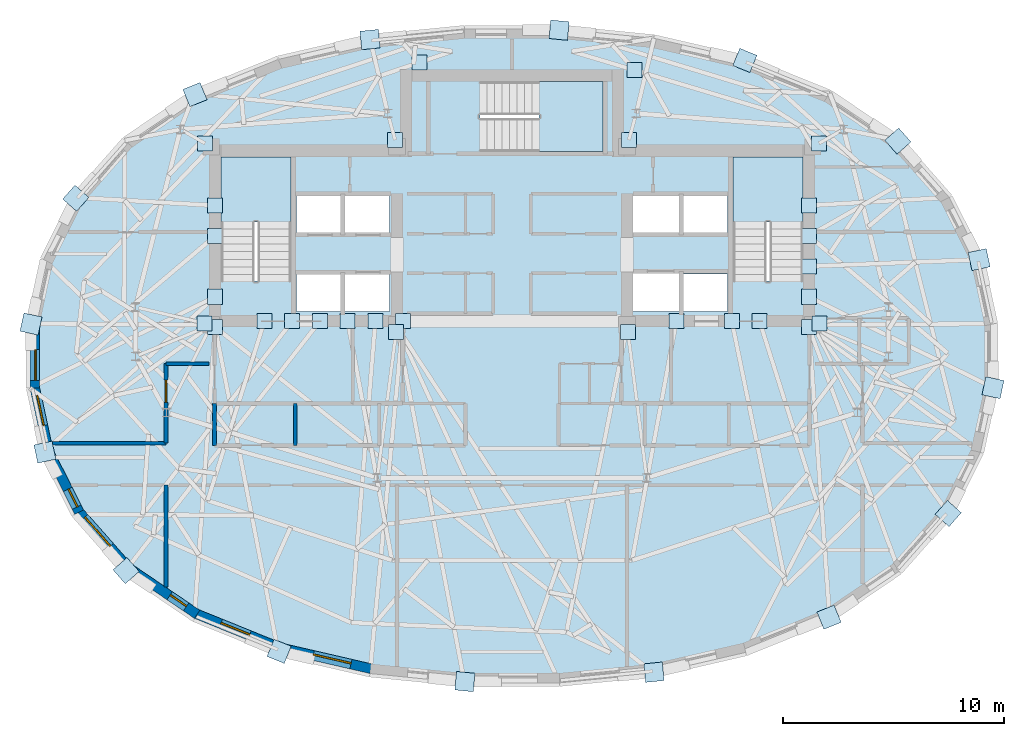
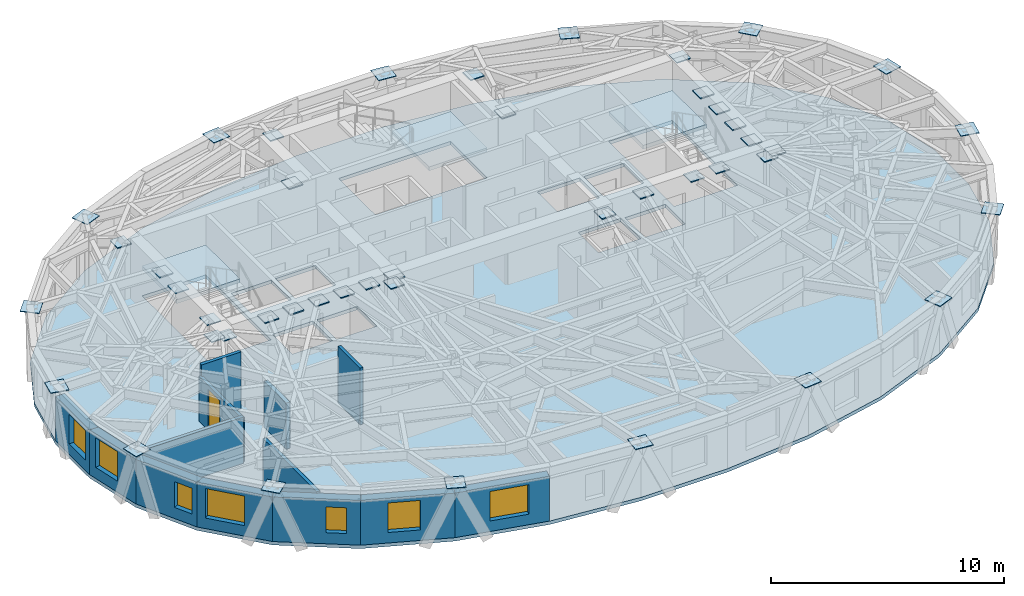
# One storey, part 5 of 13: 44 plates, 13 walls, 7 windows, 4 slabs, 1 door, 8 openings, 3 elements without a shape of their own.
"""IFC4 building model written with IfcOpenShell, lengths in metres."""

import ifcopenshell
import ifcopenshell.guid

model = None  # the IFC model being written
_history = None  # IfcOwnerHistory: only IFC2X3 demands one
_inside = {}  # id of a spatial element -> (the spatial element, [elements in it])
_under = {}  # id of a project, library or spatial element -> (it, [spatial elements below it])
_declared = {}  # id of a project -> (the project, [libraries it declares])
_typed = {}  # id of a type object -> (the type object, [elements of that type])
_made_of = {}  # id of a material, layer set ... -> (it, [elements and type objects made of it])


def new_model(schema):
    """Start an empty IFC model of exactly this schema.

    Asked for "IFC4X3", IfcOpenShell would pick the latest addendum, in which some entities
    have other attributes; the version numbers below select the first issue.
    IFC2X3 requires an IfcOwnerHistory on every rooted entity: one is made here for all.
    """
    global model, _history
    if schema == "IFC4X3":
        model = ifcopenshell.file(schema_version=(4, 3, 0, 0))
    else:
        model = ifcopenshell.file(schema=schema)
    _inside.clear()
    _under.clear()
    _declared.clear()
    _typed.clear()
    _made_of.clear()
    _history = None
    if model.schema == "IFC2X3":
        org = make("IfcOrganization", Name="unknown")
        user = make(
            "IfcPersonAndOrganization",
            ThePerson=make("IfcPerson", FamilyName="unknown"),
            TheOrganization=org,
        )
        app = make(
            "IfcApplication",
            ApplicationDeveloper=org,
            Version="unknown",
            ApplicationFullName="unknown",
            ApplicationIdentifier="unknown",
        )
        _history = make(
            "IfcOwnerHistory",
            OwningUser=user,
            OwningApplication=app,
            ChangeAction="ADDED",
            CreationDate=0,
        )
    return model


def make(cls, **values):
    """One entity of the class cls with the attributes given. An attribute that is None is left unset."""
    return model.create_entity(
        cls, **{name: value for name, value in values.items() if value is not None}
    )


def rooted(cls, **values):
    """An entity with a GlobalId (a new one), such as an element, a storey or a relation."""
    return make(cls, GlobalId=ifcopenshell.guid.new(), OwnerHistory=_history, **values)


def si_unit(unit_type, name, prefix=None):
    """IfcSIUnit, for example si_unit("LENGTHUNIT", "METRE", prefix="MILLI")."""
    return make("IfcSIUnit", UnitType=unit_type, Prefix=prefix, Name=name)


def assignment(units):
    """IfcUnitAssignment: the units of a project."""
    return None if units is None else make("IfcUnitAssignment", Units=units)


def point(xyz):
    """IfcCartesianPoint."""
    return None if xyz is None else make("IfcCartesianPoint", Coordinates=xyz)


def direction(xyz):
    """IfcDirection."""
    return None if xyz is None else make("IfcDirection", DirectionRatios=xyz)


def frame(location, z_axis=None, x_axis=None):
    """IfcAxis2Placement3D, a coordinate frame: its origin and axes. An axis left out is left unset."""
    return make(
        "IfcAxis2Placement3D",
        Location=point(location),
        Axis=direction(z_axis),
        RefDirection=direction(x_axis),
    )


def frame_2d(location, x_axis=None):
    """IfcAxis2Placement2D, a coordinate frame in the plane: its origin and x axis."""
    return make(
        "IfcAxis2Placement2D", Location=point(location), RefDirection=direction(x_axis)
    )


def origin():
    """The frame at (0, 0, 0) with its axes left unset."""
    return frame((0.0, 0.0, 0.0))


def origin_2d():
    """The frame at (0, 0) in the plane with its x axis left unset."""
    return frame_2d((0.0, 0.0))


def place(relative_to, where):
    """IfcLocalPlacement: puts the frame where relative to a parent placement (None: the world)."""
    return make(
        "IfcLocalPlacement", PlacementRelTo=relative_to, RelativePlacement=where
    )


def context(
    kind, dimensions, precision=None, world=None, true_north=None, identifier=None
):
    """IfcGeometricRepresentationContext, for example the 3D "Model" context."""
    return make(
        "IfcGeometricRepresentationContext",
        ContextIdentifier=identifier,
        ContextType=kind,
        CoordinateSpaceDimension=dimensions,
        Precision=precision,
        WorldCoordinateSystem=world,
        TrueNorth=true_north,
    )


def subcontext(parent, identifier, kind, view, scale=None):
    """IfcGeometricRepresentationSubContext, for example "Body" below "Model"."""
    return make(
        "IfcGeometricRepresentationSubContext",
        ContextIdentifier=identifier,
        ContextType=kind,
        ParentContext=parent,
        TargetScale=scale,
        TargetView=view,
    )


def project(units=None, contexts=None):
    """IfcProject with its units and contexts."""
    return rooted(
        "IfcProject",
        Name="project",
        RepresentationContexts=contexts,
        UnitsInContext=assignment(units),
    )


def spatial(cls, under=None, at=None, **own):
    """A site, building, storey or space (cls), placed at a placement, below another one or the project."""
    s = rooted(cls, ObjectPlacement=at, **own)
    if under is not None:
        _under.setdefault(under.id(), (under, []))[1].append(s)
    return s


def polyline(points):
    """IfcPolyline through the points."""
    return make("IfcPolyline", Points=[point(p) for p in points])


def profile(cls, at=None, kind="AREA", **sizes):
    """A parametric profile (cls). Its sizes go by their IFC names, for example OverallWidth=200.0."""
    return make(cls, ProfileType=kind, Position=at, **sizes)


def rectangle(**sizes):
    """IfcRectangleProfileDef."""
    return profile("IfcRectangleProfileDef", **sizes)


def outline(outer, holes=None, kind="AREA"):
    """IfcArbitraryClosedProfileDef: a profile drawn as a closed curve; with holes, ...WithVoids."""
    if holes is None:
        return make("IfcArbitraryClosedProfileDef", ProfileType=kind, OuterCurve=outer)
    return make(
        "IfcArbitraryProfileDefWithVoids",
        ProfileType=kind,
        OuterCurve=outer,
        InnerCurves=holes,
    )


def extrude(swept, where, along, depth):
    """IfcExtrudedAreaSolid: the profile swept, set in the frame where, extruded along a direction by depth."""
    return make(
        "IfcExtrudedAreaSolid",
        SweptArea=swept,
        Position=where,
        ExtrudedDirection=direction(along),
        Depth=depth,
    )


def shape(context_of_items, identifier, shape_type, items):
    """IfcShapeRepresentation: the items that make up one representation, for example the "Body"."""
    return make(
        "IfcShapeRepresentation",
        ContextOfItems=context_of_items,
        RepresentationIdentifier=identifier,
        RepresentationType=shape_type,
        Items=items,
    )


def material(Name=None, Category=None):
    """IfcMaterial."""
    return make("IfcMaterial", Name=Name, Category=Category)


def layer(
    of_material, thickness, ventilated=None, Name=None, Category=None, Priority=None
):
    """IfcMaterialLayer: one layer of a wall or slab, of a material (None: an air gap)."""
    return make(
        "IfcMaterialLayer",
        Material=of_material,
        LayerThickness=thickness,
        IsVentilated=ventilated,
        Name=Name,
        Category=Category,
        Priority=Priority,
    )


def layer_set(layers, Name=None):
    """IfcMaterialLayerSet."""
    return make("IfcMaterialLayerSet", MaterialLayers=layers, LayerSetName=Name)


def made_of(thing, what):
    """Note that an element or type object is made of a material, layer set ...; save() writes the relation."""
    if what is not None:
        _made_of.setdefault(what.id(), (what, []))[1].append(thing)
    return thing


def type_object(cls, material=None, **own):
    """A type object (cls), such as IfcWallType, which elements share."""
    return made_of(rooted(cls, **own), material)


def element(
    cls,
    number,
    at=None,
    inside=None,
    cuts=None,
    type_object=None,
    material=None,
    context=None,
    identifier="Body",
    shape_type=None,
    held_by="IfcProductDefinitionShape",
    body=None,
    shapes=None,
    **own,
):
    """One element of the class cls, such as IfcWall. Its Tag is "e" and its number.

    at: its placement. inside: the storey or other place that contains it. cuts: it is an
    opening in that element (IfcRelVoidsElement). A single representation is given by context,
    identifier, shape_type and body (its items); several are given by shapes. held_by: the class
    of the entity that holds the representations. save() writes the other relations.
    """
    e = rooted(cls, Tag="e%d" % number, ObjectPlacement=at, **own)
    if body is not None:
        shapes = [shape(context, identifier, shape_type, body)]
    if shapes is not None:
        e.Representation = make(held_by, Representations=shapes)
    if inside is not None:
        _inside.setdefault(inside.id(), (inside, []))[1].append(e)
    if cuts is not None:
        rooted(
            "IfcRelVoidsElement", RelatingBuildingElement=cuts, RelatedOpeningElement=e
        )
    if type_object is not None:
        _typed.setdefault(type_object.id(), (type_object, []))[1].append(e)
    return made_of(e, material)


def fill(opening, filler):
    """IfcRelFillsElement: the door or window that sits in an opening."""
    return rooted(
        "IfcRelFillsElement",
        RelatingOpeningElement=opening,
        RelatedBuildingElement=filler,
    )


def aggregate(whole, parts):
    """IfcRelAggregates: a whole, such as a stair, and the parts it consists of."""
    return rooted("IfcRelAggregates", RelatingObject=whole, RelatedObjects=parts)


def save(model, path):
    """Write the relations noted so far, then the file.

    IfcRelAggregates (storeys below a building ...), IfcRelContainedInSpatialStructure (elements
    in a storey), IfcRelDefinesByType, IfcRelAssociatesMaterial and IfcRelDeclares: one each for
    every whole, place, type object, material and project.
    """
    for whole, parts in _under.values():
        aggregate(whole, parts)
    for where, things in _inside.values():
        rooted(
            "IfcRelContainedInSpatialStructure",
            RelatedElements=things,
            RelatingStructure=where,
        )
    for kind, things in _typed.values():
        rooted("IfcRelDefinesByType", RelatedObjects=things, RelatingType=kind)
    for what, things in _made_of.values():
        rooted("IfcRelAssociatesMaterial", RelatedObjects=things, RelatingMaterial=what)
    for by, libraries in _declared.values():
        rooted("IfcRelDeclares", RelatingContext=by, RelatedDefinitions=libraries)
    model.write(path)


model = new_model("IFC4")

# Units and contexts
model_context = context("Model", 3, precision=1e-05, world=origin(), true_north=direction((0.0, 1.0)))
body_context = subcontext(model_context, "Body", "Model", "MODEL_VIEW")
ifc_project = project(units=[si_unit("LENGTHUNIT", "METRE"), si_unit("AREAUNIT", "SQUARE_METRE"), si_unit("VOLUMEUNIT", "CUBIC_METRE"), si_unit("PLANEANGLEUNIT", "RADIAN"), si_unit("MASSUNIT", "GRAM", prefix="KILO")], contexts=[model_context])

# Site, building, storey
site_placement = place(None, origin())
site = spatial("IfcSite", under=ifc_project, at=site_placement, CompositionType="ELEMENT")
building_placement = place(site_placement, origin())
building = spatial("IfcBuilding", under=site, at=building_placement, Name="Keldmark Tower", CompositionType="ELEMENT")
storey_placement = place(building_placement, frame((0.0, 0.0, 241.5)))
storey = spatial("IfcBuildingStorey", under=building, at=storey_placement, Name="L68", CompositionType="ELEMENT", Elevation=241.5)

# Plates
ifc_material_1 = material(Name="Steel ASTM A572 Grade 50", Category="steel")
ifc_layer_1 = layer(ifc_material_1, 0.06005859375)
ifc_layer_set_1 = layer_set([ifc_layer_1], Name="Steel ASTM A572 Grade 50")
plate_type_1 = type_object("IfcPlateType", Name="Belt Truss Kink Node Assembly KN01 60 mm", PredefinedType="USERDEFINED", material=ifc_layer_set_1)
for number, where, z_axis, x_axis, name in (
    (1, (13.91162109375, 1.473388671875, 2.67822265625), (0.0, 0.0, 1.0), (1.0, 0.0, 0.0), "L68 Core Wall Cast-In Embed Plate 1980"),
    (2, (13.878173828125, 9.608154296875, 2.67822265625), (0.0, 0.0, 1.0), (1.0, 0.0, 0.0), "L68 Core Wall Cast-In Embed Plate 1981"),
    (3, (5.28515625, 9.758544921875, 2.67822265625), (0.0, 0.0, 1.0), (1.0, 0.0, 0.0), "L68 Core Wall Cast-In Embed Plate 1982"),
    (4, (-5.28515625, 9.758544921875, 2.67822265625), (0.0, 0.0, 1.0), (1.0, 0.0, 0.0), "L68 Core Wall Cast-In Embed Plate 1983"),
    (5, (-13.878173828125, 9.608154296875, 2.67822265625), (0.0, 0.0, 1.0), (1.0, 0.0, 0.0), "L68 Core Wall Cast-In Embed Plate 1984"),
    (6, (-13.91162109375, 1.473388671875, 2.67822265625), (0.0, 0.0, 1.0), (1.0, 0.0, 0.0), "L68 Core Wall Cast-In Embed Plate 1985"),
    (7, (-5.24072265625, 1.08251953125, 2.67822265625), (0.0, 0.0, 1.0), (1.0, 0.0, 0.0), "L68 Core Wall Cast-In Embed Plate 1986"),
    (8, (5.24072265625, 1.08251953125, 2.67822265625), (0.0, 0.0, 1.0), (1.0, 0.0, 0.0), "L68 Core Wall Cast-In Embed Plate 1987"),
    (9, (-13.425048828125, 5.425048828125, 2.673828125), (0.0, 0.0, 1.0), (1.0, 0.0, 0.0), "L68 Core Wall Cast-In Embed Plate 1988"),
    (10, (-11.19287109375, 1.574951171875, 2.673828125), (0.0, 0.0, 1.0), (1.0, 0.0, 0.0), "L68 Core Wall Cast-In Embed Plate 1989"),
    (11, (-7.43212890625, 1.574951171875, 2.673828125), (0.0, 0.0, 1.0), (1.0, 0.0, 0.0), "L68 Core Wall Cast-In Embed Plate 1990"),
    (12, (7.43212890625, 1.574951171875, 2.673828125), (0.0, 0.0, 1.0), (1.0, 0.0, 0.0), "L68 Core Wall Cast-In Embed Plate 1991"),
    (13, (11.19287109375, 1.574951171875, 2.673828125), (0.0, 0.0, 1.0), (1.0, 0.0, 0.0), "L68 Core Wall Cast-In Embed Plate 1992"),
    (14, (13.425048828125, 5.425048828125, 2.673828125), (0.0, 0.0, 1.0), (1.0, 0.0, 0.0), "L68 Core Wall Cast-In Embed Plate 1993"),
    (15, (-9.939208984375, 1.574951171875, 2.673828125), (0.0, 0.0, 1.0), (1.0, 0.0, 0.0), "L68 Core Wall Cast-In Embed Plate 1994"),
    (16, (-6.1787109375, 1.574951171875, 2.673828125), (0.0, 0.0, 1.0), (1.0, 0.0, 0.0), "L68 Core Wall Cast-In Embed Plate 1995"),
    (17, (9.939208984375, 1.574951171875, 2.673828125), (0.0, 0.0, 1.0), (1.0, 0.0, 0.0), "L68 Core Wall Cast-In Embed Plate 1996"),
    (18, (13.425048828125, 4.050048828125, 2.673828125), (0.0, 0.0, 1.0), (1.0, 0.0, 0.0), "L68 Core Wall Cast-In Embed Plate 1997"),
    (19, (13.425048828125, 6.800048828125, 2.673828125), (0.0, 0.0, 1.0), (1.0, 0.0, 0.0), "L68 Core Wall Cast-In Embed Plate 1998"),
    (20, (-13.425048828125, 2.675048828125, 2.673828125), (0.0, 0.0, 1.0), (1.0, 0.0, 0.0), "L68 Core Wall Cast-In Embed Plate 1999"),
    (21, (-8.685791015625, 1.574951171875, 2.673828125), (0.0, 0.0, 1.0), (1.0, 0.0, 0.0), "L68 Core Wall Cast-In Embed Plate 2000"),
    (22, (-13.425048828125, 1.300048828125, 2.673828125), (0.0, 0.0, 1.0), (1.0, 0.0, 0.0), "L68 Core Wall Cast-In Embed Plate 2001"),
    (23, (-4.925048828125, 1.574951171875, 2.673828125), (0.0, 0.0, 1.0), (1.0, 0.0, 0.0), "L68 Core Wall Cast-In Embed Plate 2002"),
    (24, (13.425048828125, 1.300048828125, 2.673828125), (0.0, 0.0, 1.0), (1.0, 0.0, 0.0), "L68 Core Wall Cast-In Embed Plate 2003"),
    (25, (13.425048828125, 2.675048828125, 2.673828125), (0.0, 0.0, 1.0), (1.0, 0.0, 0.0), "L68 Core Wall Cast-In Embed Plate 2004"),
    (26, (5.546142578125, 12.919921875, 2.673828125), (0.0, 0.0, 1.0), (1.0, 0.0, 0.0), "L68 Core Wall Cast-In Embed Plate 2005"),
    (27, (-4.1806640625, 13.272705078125, 2.673828125), (0.0, 0.0, 1.0), (1.0, 0.0, 0.0), "L68 Core Wall Cast-In Embed Plate 2006"),
    (28, (-13.425048828125, 6.800048828125, 2.673828125), (0.0, 0.0, 1.0), (1.0, 0.0, 0.0), "L68 Core Wall Cast-In Embed Plate 2007"),
):
    element("IfcPlate", number, at=place(storey_placement, frame(where, z_axis=z_axis, x_axis=x_axis)), inside=storey, type_object=plate_type_1, Name=name, ObjectType="CAP PLATE", PredefinedType="USERDEFINED", context=body_context, shape_type="SweptSolid", body=[
        extrude(rectangle(XDim=0.679931640625, YDim=0.679931640625, at=origin_2d()), origin(), (0.0, 0.0, 1.0), 0.054931640625),
    ])
ifc_material_2 = material(Name="Steel ASTM A572 Grade 50", Category="steel")
ifc_layer_2 = layer(ifc_material_2, 0.034912109375)
ifc_layer_set_2 = layer_set([ifc_layer_2], Name="Steel ASTM A572 Grade 50")
plate_type_2 = type_object("IfcPlateType", Name="Diagrid Node Assembly DN06 35 mm", PredefinedType="USERDEFINED", material=ifc_layer_set_2)
for number, where, z_axis, x_axis, name in (
    (29, (21.124755859375, 4.351806640625, 2.83251953125), (0.0, 0.0, 1.0), (-0.210471759821, 0.977599937765, 0.0), "L68 Diagrid Node Assembly 01"),
    (30, (17.451904296875, 9.713134765625, 2.83251953125), (0.0, 0.0, 1.0), (-0.661311865324, 0.75011106963, 0.0), "L68 Diagrid Node Assembly 03"),
    (31, (10.53173828125, 13.36279296875, 2.83251953125), (0.0, 0.0, 1.0), (-0.92672549442, 0.375739082333, 0.0), "L68 Diagrid Node Assembly 05"),
    (32, (2.130615234375, 14.7314453125, 2.83251953125), (0.0, 0.0, 1.0), (-0.995124665732, 0.098625045759, 0.0), "L68 Diagrid Node Assembly 07"),
    (33, (-6.42041015625, 14.305419921875, 2.83251953125), (0.0, 0.0, 1.0), (-0.995124665732, -0.098625045759, 0.0), "L68 Diagrid Node Assembly 09"),
    (34, (-14.337646484375, 11.817138671875, 2.83251953125), (0.0, 0.0, 1.0), (-0.92672549442, -0.375739082333, 0.0), "L68 Diagrid Node Assembly 11"),
    (35, (-19.728271484375, 7.129150390625, 2.83251953125), (0.0, 0.0, 1.0), (-0.661311865324, -0.75011106963, 0.0), "L68 Diagrid Node Assembly 13"),
    (36, (-21.751953125, 1.439208984375, 2.83251953125), (0.0, 0.0, 1.0), (-0.210471759821, -0.977599937765, 0.0), "L68 Diagrid Node Assembly 15"),
    (37, (-21.124755859375, -4.351806640625, 2.83251953125), (0.0, 0.0, 1.0), (0.210471759821, -0.977599937765, 0.0), "L68 Diagrid Node Assembly 17"),
    (38, (-17.451904296875, -9.713134765625, 2.83251953125), (0.0, 0.0, 1.0), (0.661311865324, -0.75011106963, 0.0), "L68 Diagrid Node Assembly 19"),
    (39, (-10.53173828125, -13.36279296875, 2.83251953125), (0.0, 0.0, 1.0), (0.92672549442, -0.375739082333, 0.0), "L68 Diagrid Node Assembly 21"),
    (40, (-2.130615234375, -14.7314453125, 2.83251953125), (0.0, 0.0, 1.0), (0.995124665732, -0.098625045759, 0.0), "L68 Diagrid Node Assembly 23"),
    (41, (6.42041015625, -14.305419921875, 2.83251953125), (0.0, 0.0, 1.0), (0.995124665732, 0.098625045759, 0.0), "L68 Diagrid Node Assembly 25"),
    (42, (14.337646484375, -11.817138671875, 2.83251953125), (0.0, 0.0, 1.0), (0.92672549442, 0.375739082333, 0.0), "L68 Diagrid Node Assembly 27"),
    (43, (19.728271484375, -7.129150390625, 2.83251953125), (0.0, 0.0, 1.0), (0.661311865324, 0.75011106963, 0.0), "L68 Diagrid Node Assembly 29"),
    (44, (21.751953125, -1.439208984375, 2.83251953125), (0.0, 0.0, 1.0), (0.210471759821, 0.977599937765, 0.0), "L68 Diagrid Node Assembly 31"),
):
    element("IfcPlate", number, at=place(storey_placement, frame(where, z_axis=z_axis, x_axis=x_axis)), inside=storey, type_object=plate_type_2, Name=name, ObjectType="GUSSET", PredefinedType="USERDEFINED", context=body_context, shape_type="SweptSolid", body=[
        extrude(rectangle(XDim=0.840087890625, YDim=0.840087890625, at=origin_2d()), origin(), (0.0, 0.0, 1.0), 0.034912109375),
    ])

# Slab
ifc_material_3 = material(Name="Concrete C35/45", Category="concrete")
ifc_layer_3 = layer(ifc_material_3, 0.179931640625)
ifc_layer_set_3 = layer_set([ifc_layer_3], Name="Concrete C35/45")
slab_type_1 = type_object("IfcSlabType", Name="Hotel and Residential Slab 180 mm", PredefinedType="FLOOR", material=ifc_layer_set_3)
slab_1_placement = place(storey_placement, frame((0.0, 0.0, -0.179931640625)))
element("IfcSlab", 45, at=slab_1_placement, inside=storey, type_object=slab_type_1, Name="L68 Composite Structural Floor Slab", PredefinedType="FLOOR", context=body_context, shape_type="SweptSolid", body=[
    extrude(outline(polyline([(21.809326171875, 1.45654296875), (21.1845703125, 4.357666015625), (19.774658203125, 7.167236328125), (17.5048828125, 9.741455078125), (14.365966796875, 11.8701171875), (10.56982421875, 13.4091796875), (6.42626953125, 14.364990234375), (2.14794921875, 14.788818359375), (-2.14794921875, 14.788818359375), (-6.42626953125, 14.364990234375), (-10.56982421875, 13.4091796875), (-14.365966796875, 11.8701171875), (-17.5048828125, 9.741455078125), (-19.774658203125, 7.167236328125), (-21.1845703125, 4.357666015625), (-21.809326171875, 1.45654296875), (-21.809326171875, -1.45654296875), (-21.1845703125, -4.357666015625), (-19.774658203125, -7.167236328125), (-17.5048828125, -9.741455078125), (-14.365966796875, -11.8701171875), (-10.56982421875, -13.4091796875), (-6.42626953125, -14.364990234375), (-2.14794921875, -14.788818359375), (2.14794921875, -14.788818359375), (6.42626953125, -14.364990234375), (10.56982421875, -13.4091796875), (14.365966796875, -11.8701171875), (17.5048828125, -9.741455078125), (19.774658203125, -7.167236328125), (21.1845703125, -4.357666015625), (21.809326171875, -1.45654296875), (21.809326171875, 1.45654296875)]), holes=[polyline([(-10.0, 3.385009765625), (-10.0, 9.0), (-13.14990234375, 9.0), (-13.14990234375, 3.385009765625), (-10.0, 3.385009765625)]), polyline([(13.14990234375, 3.385009765625), (13.14990234375, 9.0), (10.0, 9.0), (10.0, 3.385009765625), (13.14990234375, 3.385009765625)]), polyline([(-1.43994140625, 9.25), (4.10498046875, 9.25), (4.10498046875, 12.39990234375), (-1.43994140625, 12.39990234375), (-1.43994140625, 9.25)]), polyline([(-9.75, 2.0), (-7.75, 2.0), (-7.75, 3.699951171875), (-9.75, 3.699951171875), (-9.75, 2.0)]), polyline([(7.75, 2.0), (9.75, 2.0), (9.75, 3.699951171875), (7.75, 3.699951171875), (7.75, 2.0)]), polyline([(5.449951171875, 2.0), (7.550048828125, 2.0), (7.550048828125, 3.75), (5.449951171875, 3.75), (5.449951171875, 2.0)]), polyline([(-9.75, 5.550048828125), (-7.75, 5.550048828125), (-7.75, 7.25), (-9.75, 7.25), (-9.75, 5.550048828125)]), polyline([(-7.550048828125, 5.550048828125), (-5.550048828125, 5.550048828125), (-5.550048828125, 7.25), (-7.550048828125, 7.25), (-7.550048828125, 5.550048828125)]), polyline([(-7.550048828125, 2.0), (-5.550048828125, 2.0), (-5.550048828125, 3.699951171875), (-7.550048828125, 3.699951171875), (-7.550048828125, 2.0)]), polyline([(5.449951171875, 5.550048828125), (7.550048828125, 5.550048828125), (7.550048828125, 7.25), (5.449951171875, 7.25), (5.449951171875, 5.550048828125)]), polyline([(7.75, 5.550048828125), (9.75, 5.550048828125), (9.75, 7.25), (7.75, 7.25), (7.75, 5.550048828125)])]), origin(), (0.0, 0.0, 1.0), 0.179931640625),
])

# Stair, slab
ifc_material_4 = material(Name="Concrete C40/50", Category="concrete")
stair_type = type_object("IfcStairType", Name="Precast Concrete Core Exit Stair", PredefinedType="HALF_TURN_STAIR", material=ifc_material_4)
stair_1_placement = place(storey_placement, origin())
stair_1 = element("IfcStair", 46, at=stair_1_placement, inside=storey, type_object=stair_type, Name="L68 Exit Stair ST1", PredefinedType="HALF_TURN_STAIR")
ifc_material_5 = material(Name="Concrete C40/50", Category="concrete")
ifc_layer_4 = layer(ifc_material_5, 0.199951171875)
ifc_layer_set_4 = layer_set([ifc_layer_4], Name="Concrete C40/50")
slab_type_2 = type_object("IfcSlabType", Name="Reinforced Concrete Stair Landing 200 mm", PredefinedType="LANDING", material=ifc_layer_set_4)
slab_2_placement = place(storey_placement, frame((0.0, 0.0, 1.375)))
slab_2 = element("IfcSlab", 47, at=slab_2_placement, type_object=slab_type_2, Name="ST1 landing 1", PredefinedType="LANDING", context=body_context, shape_type="SweptSolid", body=[
    extrude(outline(polyline([(-10.0, 6.050048828125), (-10.0, 9.0), (-13.14990234375, 9.0), (-13.14990234375, 6.050048828125), (-10.0, 6.050048828125)])), origin(), (0.0, 0.0, 1.0), 0.199951171875),
])
aggregate(stair_1, [slab_2])

stair_2_placement = place(storey_placement, origin())
stair_2 = element("IfcStair", 48, at=stair_2_placement, inside=storey, type_object=stair_type, Name="L68 Exit Stair ST2", PredefinedType="HALF_TURN_STAIR")
slab_3_placement = place(storey_placement, frame((0.0, 0.0, 1.375)))
slab_3 = element("IfcSlab", 49, at=slab_3_placement, type_object=slab_type_2, Name="ST2 landing 1", PredefinedType="LANDING", context=body_context, shape_type="SweptSolid", body=[
    extrude(outline(polyline([(13.14990234375, 6.050048828125), (13.14990234375, 9.0), (10.0, 9.0), (10.0, 6.050048828125), (13.14990234375, 6.050048828125)])), origin(), (0.0, 0.0, 1.0), 0.199951171875),
])
aggregate(stair_2, [slab_3])

stair_3_placement = place(storey_placement, origin())
stair_3 = element("IfcStair", 50, at=stair_3_placement, inside=storey, type_object=stair_type, Name="L68 Exit Stair ST3", PredefinedType="HALF_TURN_STAIR")
slab_4_placement = place(storey_placement, frame((0.0, 0.0, 1.375)))
slab_4 = element("IfcSlab", 51, at=slab_4_placement, type_object=slab_type_2, Name="ST3 landing 1", PredefinedType="LANDING", context=body_context, shape_type="SweptSolid", body=[
    extrude(outline(polyline([(1.22509765625, 9.25), (4.10498046875, 9.25), (4.10498046875, 12.39990234375), (1.22509765625, 12.39990234375), (1.22509765625, 9.25)])), origin(), (0.0, 0.0, 1.0), 0.199951171875),
])
aggregate(stair_3, [slab_4])

# Walls
ifc_material_6 = material(Name="Heavy Acoustic Plumbing Chase Gypsum Assembly", Category="gypsum")
ifc_layer_5 = layer(ifc_material_6, 0.18994140625)
ifc_layer_set_5 = layer_set([ifc_layer_5], Name="Heavy Acoustic Plumbing Chase Gypsum Assembly")
wall_type_1 = type_object("IfcWallType", Name="Heavy Wet Wall 190 mm", PredefinedType="PLUMBINGWALL", material=ifc_layer_set_5)
wall_1_placement = place(storey_placement, frame((-13.449951171875, -4.050048828125, 0.0), z_axis=(0.0, 0.0, 1.0), x_axis=(0.0, 1.0, 0.0)))
element("IfcWall", 52, at=wall_1_placement, inside=storey, type_object=wall_type_1, Name="L68 Heavy Wet Wall 190 mm SPK-W-W", PredefinedType="PLUMBINGWALL", context=body_context, shape_type="SweptSolid", body=[
    extrude(rectangle(XDim=1.900146484375, YDim=0.18994140625, at=frame_2d((0.9501953125, 0.0))), origin(), (0.0, 0.0, 1.0), 2.423095703125),
])
ifc_material_7 = material(Name="Type X Fire-Rated Gypsum Partition Assembly", Category="gypsum")
ifc_layer_6 = layer(ifc_material_7, 0.1650390625)
ifc_layer_set_6 = layer_set([ifc_layer_6], Name="Type X Fire-Rated Gypsum Partition Assembly")
wall_type_2 = type_object("IfcWallType", Name="Rated Partition 165 mm", PredefinedType="PARTITIONING", material=ifc_layer_set_6)
wall_2_placement = place(storey_placement, frame((-20.81396484375, -3.949951171875, 0.0), z_axis=(0.0, 0.0, 1.0), x_axis=(1.0, 0.0, 0.0)))
element("IfcWall", 53, at=wall_2_placement, inside=storey, type_object=wall_type_2, Name="L68 Rated Partition 165 mm RCOR-WN-OUT", PredefinedType="PARTITIONING", context=body_context, shape_type="SweptSolid", body=[
    extrude(rectangle(XDim=5.1640625, YDim=0.1650390625, at=frame_2d((2.58203125, 0.0))), origin(), (0.0, 0.0, 1.0), 2.423095703125),
])

# Wall, opening, door
wall_3_placement = place(storey_placement, frame((-15.64990234375, -3.949951171875, 0.0), z_axis=(0.0, 0.0, 1.0), x_axis=(0.0, 1.0, 0.0)))
wall_3 = element("IfcWall", 54, at=wall_3_placement, inside=storey, type_object=wall_type_2, Name="L68 Rated Partition 165 mm RCOR-VW", PredefinedType="PARTITIONING", context=body_context, shape_type="SweptSolid", body=[
    extrude(rectangle(XDim=3.599853515625, YDim=0.1650390625, at=frame_2d((1.7998046875, 0.0))), origin(), (0.0, 0.0, 1.0), 2.35693359375),
])
opening_1_placement = place(wall_3_placement, frame((1.85009765625, 0.0, 0.0)))
opening_1 = element("IfcOpeningElement", 55, at=opening_1_placement, cuts=wall_3, Name="Opening D-FD100", PredefinedType="OPENING", context=body_context, shape_type="SweptSolid", body=[
    extrude(rectangle(XDim=1.0, YDim=2.14990234375, at=frame_2d((0.5, 1.074951171875))), frame((0.0, 0.092529296875, 0.0), z_axis=(0.0, -1.0, 0.0), x_axis=(1.0, 0.0, 0.0)), (0.0, 0.0, 1.0), 0.18505859375),
])
ifc_material_8 = material(Name="Hollow Metal Fire-Rated Corridor Door", Category="metal")
door_type = type_object("IfcDoorType", Name="Fire Door 1000x2150", OperationType="NOTDEFINED", PredefinedType="DOOR", material=ifc_material_8)
door_placement = place(opening_1_placement, origin())
door = element("IfcDoor", 56, at=door_placement, inside=storey, type_object=door_type, Name="L68 Fire Door 1000x2150 D-RWM1-L68", OperationType="SINGLE_SWING_RIGHT", OverallHeight=2.14990234375, OverallWidth=1.0, PredefinedType="DOOR", context=body_context, shape_type="SweptSolid", body=[
    extrude(rectangle(XDim=1.0, YDim=2.14990234375, at=frame_2d((0.5, 1.074951171875))), frame((0.0, 0.02490234375, 0.0), z_axis=(0.0, -1.0, 0.0), x_axis=(1.0, 0.0, 0.0)), (0.0, 0.0, 1.0), 0.050048828125),
])
fill(opening_1, door)

# Walls
wall_4_placement = place(storey_placement, frame((-15.64990234375, -0.35009765625, 0.0), z_axis=(0.0, 0.0, 1.0), x_axis=(1.0, 0.0, 0.0)))
element("IfcWall", 57, at=wall_4_placement, inside=storey, type_object=wall_type_2, Name="L68 Rated Partition 165 mm RCOR-VWN", PredefinedType="PARTITIONING", context=body_context, shape_type="SweptSolid", body=[
    extrude(rectangle(XDim=1.949951171875, YDim=0.1650390625, at=frame_2d((0.97509765625, 0.0))), origin(), (0.0, 0.0, 1.0), 2.969970703125),
])
wall_5_placement = place(storey_placement, frame((-15.64990234375, -10.4580078125, 0.0), z_axis=(0.0, 0.0, 1.0), x_axis=(0.0, 1.0, 0.0)))
element("IfcWall", 58, at=wall_5_placement, inside=storey, type_object=wall_type_2, Name="L68 Rated Partition 165 mm RS-WCAP", PredefinedType="PARTITIONING", context=body_context, shape_type="SweptSolid", body=[
    extrude(rectangle(XDim=4.60791015625, YDim=0.1650390625, at=frame_2d((2.303955078125, 0.0))), origin(), (0.0, 0.0, 1.0), 2.423095703125),
])

# Wall, opening, window
ifc_material_9 = material(Name="Ironspot Manganese Brick and Kasota Buff Limestone Spandrel Assembly", Category="masonry")
ifc_layer_7 = layer(ifc_material_9, 0.43994140625)
ifc_layer_set_7 = layer_set([ifc_layer_7], Name="Ironspot Manganese Brick and Kasota Buff Limestone Spandrel Assembly")
wall_type_3 = type_object("IfcWallType", Name="Tower Brick Pier and Spandrel Wall 440 mm", PredefinedType="STANDARD", material=ifc_layer_set_7)
wall_6_placement = place(storey_placement, frame((-21.58935546875, -1.45654296875, 0.0), z_axis=(0.0, 0.0, 1.0), x_axis=(0.0, 1.0, 0.0)))
wall_6 = element("IfcWall", 59, at=wall_6_placement, inside=storey, type_object=wall_type_3, Name="L68 Exterior Brick and Spandrel Wall 16", PredefinedType="STANDARD", context=body_context, shape_type="SweptSolid", body=[
    extrude(rectangle(XDim=2.9130859375, YDim=0.43994140625, at=frame_2d((1.45654296875, 0.0))), origin(), (0.0, 0.0, 1.0), 2.3359375),
])
opening_2_placement = place(wall_6_placement, frame((0.34521484375, 0.0, 0.550048828125)))
opening_2 = element("IfcOpeningElement", 60, at=opening_2_placement, cuts=wall_6, Name="Opening W-08", PredefinedType="OPENING", context=body_context, shape_type="SweptSolid", body=[
    extrude(rectangle(XDim=1.39990234375, YDim=1.550048828125, at=frame_2d((0.699951171875, 0.77490234375))), frame((0.0, 0.22998046875, 0.0), z_axis=(0.0, -1.0, 0.0), x_axis=(1.0, 0.0, 0.0)), (0.0, 0.0, 1.0), 0.4599609375),
])
ifc_material_10 = material(Name="Thermally Broken Anodized Aluminum and Triple Low-E Argon Glazing", Category="aluminium")
window_type_1 = type_object("IfcWindowType", Name="Residential Corner Punched Window 1400x1550", PartitioningType="SINGLE_PANEL", PredefinedType="WINDOW", material=ifc_material_10)
window_1_placement = place(opening_2_placement, origin())
window_1 = element("IfcWindow", 61, at=window_1_placement, inside=storey, type_object=window_type_1, Name="L68 Deep-Set Window 16", OverallHeight=1.550048828125, OverallWidth=1.39990234375, PartitioningType="SINGLE_PANEL", PredefinedType="WINDOW", context=body_context, shape_type="SweptSolid", body=[
    extrude(rectangle(XDim=1.39990234375, YDim=1.550048828125, at=frame_2d((0.699951171875, 0.77490234375))), frame((0.0, -0.010009765625, 0.0), z_axis=(0.0, -1.0, 0.0), x_axis=(1.0, 0.0, 0.0)), (0.0, 0.0, 1.0), 0.06005859375),
])
fill(opening_2, window_1)

wall_7_placement = place(storey_placement, frame((-20.969482421875, -4.311279296875, 0.0), z_axis=(0.0, 0.0, 1.0), x_axis=(-0.210540350534, 0.977585168053, 0.0)))
wall_7 = element("IfcWall", 62, at=wall_7_placement, inside=storey, type_object=wall_type_3, Name="L68 Exterior Brick and Spandrel Wall 17", PredefinedType="STANDARD", context=body_context, shape_type="SweptSolid", body=[
    extrude(rectangle(XDim=2.96728515625, YDim=0.43994140625, at=frame_2d((1.483642578125, 0.0))), origin(), (0.0, 0.0, 1.0), 2.3359375),
])
opening_3_placement = place(wall_7_placement, frame((1.1728515625, 0.0, 0.580078125)))
opening_3 = element("IfcOpeningElement", 63, at=opening_3_placement, cuts=wall_7, Name="Opening W-08", PredefinedType="OPENING", context=body_context, shape_type="SweptSolid", body=[
    extrude(rectangle(XDim=1.39990234375, YDim=1.550048828125, at=frame_2d((0.699951171875, 0.77490234375))), frame((0.0, 0.22998046875, 0.0), z_axis=(0.0, -1.0, 0.0), x_axis=(1.0, 0.0, 0.0)), (0.0, 0.0, 1.0), 0.4599609375),
])
window_2_placement = place(opening_3_placement, origin())
window_2 = element("IfcWindow", 64, at=window_2_placement, inside=storey, type_object=window_type_1, Name="L68 Deep-Set Window 17", OverallHeight=1.550048828125, OverallWidth=1.39990234375, PartitioningType="SINGLE_PANEL", PredefinedType="WINDOW", context=body_context, shape_type="SweptSolid", body=[
    extrude(rectangle(XDim=1.39990234375, YDim=1.550048828125, at=frame_2d((0.699951171875, 0.77490234375))), frame((0.0, -0.010009765625, 0.0), z_axis=(0.0, -1.0, 0.0), x_axis=(1.0, 0.0, 0.0)), (0.0, 0.0, 1.0), 0.06005859375),
])
fill(opening_3, window_2)

wall_8_placement = place(storey_placement, frame((-19.578125, -7.068603515625, 0.0), z_axis=(0.0, 0.0, 1.0), x_axis=(-0.448424724145, 0.893820601002, 0.0)))
wall_8 = element("IfcWall", 65, at=wall_8_placement, inside=storey, type_object=wall_type_3, Name="L68 Exterior Brick and Spandrel Wall 18", PredefinedType="STANDARD", context=body_context, shape_type="SweptSolid", body=[
    extrude(rectangle(XDim=3.1435546875, YDim=0.43994140625, at=frame_2d((1.57177734375, 0.0))), origin(), (0.0, 0.0, 1.0), 2.3359375),
])
opening_4_placement = place(wall_8_placement, frame((0.249755859375, 0.0, 0.580078125)))
opening_4 = element("IfcOpeningElement", 66, at=opening_4_placement, cuts=wall_8, Name="Opening W-09", PredefinedType="OPENING", context=body_context, shape_type="SweptSolid", body=[
    extrude(rectangle(XDim=0.89990234375, YDim=1.35009765625, at=frame_2d((0.449951171875, 0.675048828125))), frame((0.0, 0.22998046875, 0.0), z_axis=(0.0, -1.0, 0.0), x_axis=(1.0, 0.0, 0.0)), (0.0, 0.0, 1.0), 0.4599609375),
])
ifc_material_11 = material(Name="Thermally Broken Anodized Aluminum and Triple Low-E Argon Glazing", Category="aluminium")
window_type_2 = type_object("IfcWindowType", Name="Corner Pier Deep-Set Window 900x1350", PartitioningType="SINGLE_PANEL", PredefinedType="WINDOW", material=ifc_material_11)
window_3_placement = place(opening_4_placement, origin())
window_3 = element("IfcWindow", 67, at=window_3_placement, inside=storey, type_object=window_type_2, Name="L68 Deep-Set Window 18", OverallHeight=1.35009765625, OverallWidth=0.89990234375, PartitioningType="SINGLE_PANEL", PredefinedType="WINDOW", context=body_context, shape_type="SweptSolid", body=[
    extrude(rectangle(XDim=0.89990234375, YDim=1.35009765625, at=frame_2d((0.449951171875, 0.675048828125))), frame((0.0, -0.010009765625, 0.0), z_axis=(0.0, -1.0, 0.0), x_axis=(1.0, 0.0, 0.0)), (0.0, 0.0, 1.0), 0.06005859375),
])
fill(opening_4, window_3)

wall_9_placement = place(storey_placement, frame((-17.33984375, -9.595947265625, 0.0), z_axis=(0.0, 0.0, 1.0), x_axis=(-0.66136043846, 0.750068243855, 0.0)))
wall_9 = element("IfcWall", 68, at=wall_9_placement, inside=storey, type_object=wall_type_3, Name="L68 Exterior Brick and Spandrel Wall 19", PredefinedType="STANDARD", context=body_context, shape_type="SweptSolid", body=[
    extrude(rectangle(XDim=3.431884765625, YDim=0.43994140625, at=frame_2d((1.7158203125, 0.0))), origin(), (0.0, 0.0, 1.0), 2.3359375),
])
opening_5_placement = place(wall_9_placement, frame((1.284912109375, 0.0, 0.550048828125)))
opening_5 = element("IfcOpeningElement", 69, at=opening_5_placement, cuts=wall_9, Name="Opening W-05", PredefinedType="OPENING", context=body_context, shape_type="SweptSolid", body=[
    extrude(rectangle(XDim=1.75, YDim=1.550048828125, at=frame_2d((0.875, 0.77490234375))), frame((0.0, 0.22998046875, 0.0), z_axis=(0.0, -1.0, 0.0), x_axis=(1.0, 0.0, 0.0)), (0.0, 0.0, 1.0), 0.4599609375),
])
ifc_material_12 = material(Name="Thermally Broken Anodized Aluminum and Triple Low-E Argon Glazing", Category="aluminium")
window_type_3 = type_object("IfcWindowType", Name="Residential Deep-Set Window 1750x1550", PartitioningType="DOUBLE_PANEL_VERTICAL", PredefinedType="WINDOW", material=ifc_material_12)
window_4_placement = place(opening_5_placement, origin())
window_4 = element("IfcWindow", 70, at=window_4_placement, inside=storey, type_object=window_type_3, Name="L68 Deep-Set Window 19", OverallHeight=1.550048828125, OverallWidth=1.75, PartitioningType="SINGLE_PANEL", PredefinedType="WINDOW", context=body_context, shape_type="SweptSolid", body=[
    extrude(rectangle(XDim=1.75, YDim=1.550048828125, at=frame_2d((0.875, 0.77490234375))), frame((0.0, -0.010009765625, 0.0), z_axis=(0.0, -1.0, 0.0), x_axis=(1.0, 0.0, 0.0)), (0.0, 0.0, 1.0), 0.06005859375),
])
fill(opening_5, window_4)

wall_10_placement = place(storey_placement, frame((-14.242431640625, -11.68798828125, 0.0), z_axis=(0.0, 0.0, 1.0), x_axis=(-0.827637036896, 0.561263694851, 0.0)))
wall_10 = element("IfcWall", 71, at=wall_10_placement, inside=storey, type_object=wall_type_3, Name="L68 Exterior Brick and Spandrel Wall 20", PredefinedType="STANDARD", context=body_context, shape_type="SweptSolid", body=[
    extrude(rectangle(XDim=3.792724609375, YDim=0.43994140625, at=frame_2d((1.896484375, 0.0))), origin(), (0.0, 0.0, 1.0), 2.3359375),
])
opening_6_placement = place(wall_10_placement, frame((0.598876953125, 0.0, 0.580078125)))
opening_6 = element("IfcOpeningElement", 72, at=opening_6_placement, cuts=wall_10, Name="Opening W-09", PredefinedType="OPENING", context=body_context, shape_type="SweptSolid", body=[
    extrude(rectangle(XDim=0.89990234375, YDim=1.35009765625, at=frame_2d((0.449951171875, 0.675048828125))), frame((0.0, 0.22998046875, 0.0), z_axis=(0.0, -1.0, 0.0), x_axis=(1.0, 0.0, 0.0)), (0.0, 0.0, 1.0), 0.4599609375),
])
window_5_placement = place(opening_6_placement, origin())
window_5 = element("IfcWindow", 73, at=window_5_placement, inside=storey, type_object=window_type_2, Name="L68 Deep-Set Window 20", OverallHeight=1.35009765625, OverallWidth=0.89990234375, PartitioningType="SINGLE_PANEL", PredefinedType="WINDOW", context=body_context, shape_type="SweptSolid", body=[
    extrude(rectangle(XDim=0.89990234375, YDim=1.35009765625, at=frame_2d((0.449951171875, 0.675048828125))), frame((0.0, -0.010009765625, 0.0), z_axis=(0.0, -1.0, 0.0), x_axis=(1.0, 0.0, 0.0)), (0.0, 0.0, 1.0), 0.06005859375),
])
fill(opening_6, window_5)

wall_11_placement = place(storey_placement, frame((-10.487060546875, -13.205078125, 0.0), z_axis=(0.0, 0.0, 1.0), x_axis=(-0.926731976866, 0.375723093586, 0.0)))
wall_11 = element("IfcWall", 74, at=wall_11_placement, inside=storey, type_object=wall_type_3, Name="L68 Exterior Brick and Spandrel Wall 21", PredefinedType="STANDARD", context=body_context, shape_type="SweptSolid", body=[
    extrude(rectangle(XDim=4.09619140625, YDim=0.43994140625, at=frame_2d((2.048095703125, 0.0))), origin(), (0.0, 0.0, 1.0), 2.3359375),
])
opening_7_placement = place(wall_11_placement, frame((1.497802734375, 0.0, 0.550048828125)))
opening_7 = element("IfcOpeningElement", 75, at=opening_7_placement, cuts=wall_11, Name="Opening W-08", PredefinedType="OPENING", context=body_context, shape_type="SweptSolid", body=[
    extrude(rectangle(XDim=1.39990234375, YDim=1.550048828125, at=frame_2d((0.699951171875, 0.77490234375))), frame((0.0, 0.22998046875, 0.0), z_axis=(0.0, -1.0, 0.0), x_axis=(1.0, 0.0, 0.0)), (0.0, 0.0, 1.0), 0.4599609375),
])
window_6_placement = place(opening_7_placement, origin())
window_6 = element("IfcWindow", 76, at=window_6_placement, inside=storey, type_object=window_type_1, Name="L68 Deep-Set Window 21", OverallHeight=1.550048828125, OverallWidth=1.39990234375, PartitioningType="SINGLE_PANEL", PredefinedType="WINDOW", context=body_context, shape_type="SweptSolid", body=[
    extrude(rectangle(XDim=1.39990234375, YDim=1.550048828125, at=frame_2d((0.699951171875, 0.77490234375))), frame((0.0, -0.010009765625, 0.0), z_axis=(0.0, -1.0, 0.0), x_axis=(1.0, 0.0, 0.0)), (0.0, 0.0, 1.0), 0.06005859375),
])
fill(opening_7, window_6)

wall_12_placement = place(storey_placement, frame((-6.376708984375, -14.150634765625, 0.0), z_axis=(0.0, 0.0, 1.0), x_axis=(-0.974398936081, 0.224825962391, 0.0)))
wall_12 = element("IfcWall", 77, at=wall_12_placement, inside=storey, type_object=wall_type_3, Name="L68 Exterior Brick and Spandrel Wall 22", PredefinedType="STANDARD", context=body_context, shape_type="SweptSolid", body=[
    extrude(rectangle(XDim=4.25244140625, YDim=0.43994140625, at=frame_2d((2.126220703125, 0.0))), origin(), (0.0, 0.0, 1.0), 2.3359375),
])
opening_8_placement = place(wall_12_placement, frame((0.933349609375, 0.0, 0.550048828125)))
opening_8 = element("IfcOpeningElement", 78, at=opening_8_placement, cuts=wall_12, Name="Opening W-05", PredefinedType="OPENING", context=body_context, shape_type="SweptSolid", body=[
    extrude(rectangle(XDim=1.75, YDim=1.550048828125, at=frame_2d((0.875, 0.77490234375))), frame((0.0, 0.22998046875, 0.0), z_axis=(0.0, -1.0, 0.0), x_axis=(1.0, 0.0, 0.0)), (0.0, 0.0, 1.0), 0.4599609375),
])
window_7_placement = place(opening_8_placement, origin())
window_7 = element("IfcWindow", 79, at=window_7_placement, inside=storey, type_object=window_type_3, Name="L68 Deep-Set Window 22", OverallHeight=1.550048828125, OverallWidth=1.75, PartitioningType="SINGLE_PANEL", PredefinedType="WINDOW", context=body_context, shape_type="SweptSolid", body=[
    extrude(rectangle(XDim=1.75, YDim=1.550048828125, at=frame_2d((0.875, 0.77490234375))), frame((0.0, -0.010009765625, 0.0), z_axis=(0.0, -1.0, 0.0), x_axis=(1.0, 0.0, 0.0)), (0.0, 0.0, 1.0), 0.06005859375),
])
fill(opening_8, window_7)

# Wall
ifc_material_13 = material(Name="Moisture-Resistant Gypsum Plumbing Partition", Category="gypsum")
ifc_layer_8 = layer(ifc_material_13, 0.14990234375)
ifc_layer_set_8 = layer_set([ifc_layer_8], Name="Moisture-Resistant Gypsum Plumbing Partition")
wall_type_4 = type_object("IfcWallType", Name="Wet Wall 150 mm", PredefinedType="PLUMBINGWALL", material=ifc_layer_set_8)
wall_13_placement = place(storey_placement, frame((-9.800048828125, -4.050048828125, 0.0), z_axis=(0.0, 0.0, 1.0), x_axis=(0.0, 1.0, 0.0)))
element("IfcWall", 80, at=wall_13_placement, inside=storey, type_object=wall_type_4, Name="L68 Wet Wall 150 mm SPK-W-D1", PredefinedType="PLUMBINGWALL", context=body_context, shape_type="SweptSolid", body=[
    extrude(rectangle(XDim=1.900146484375, YDim=0.14990234375, at=frame_2d((0.9501953125, 0.0))), origin(), (0.0, 0.0, 1.0), 2.969970703125),
])

save(model, "model.ifc")
